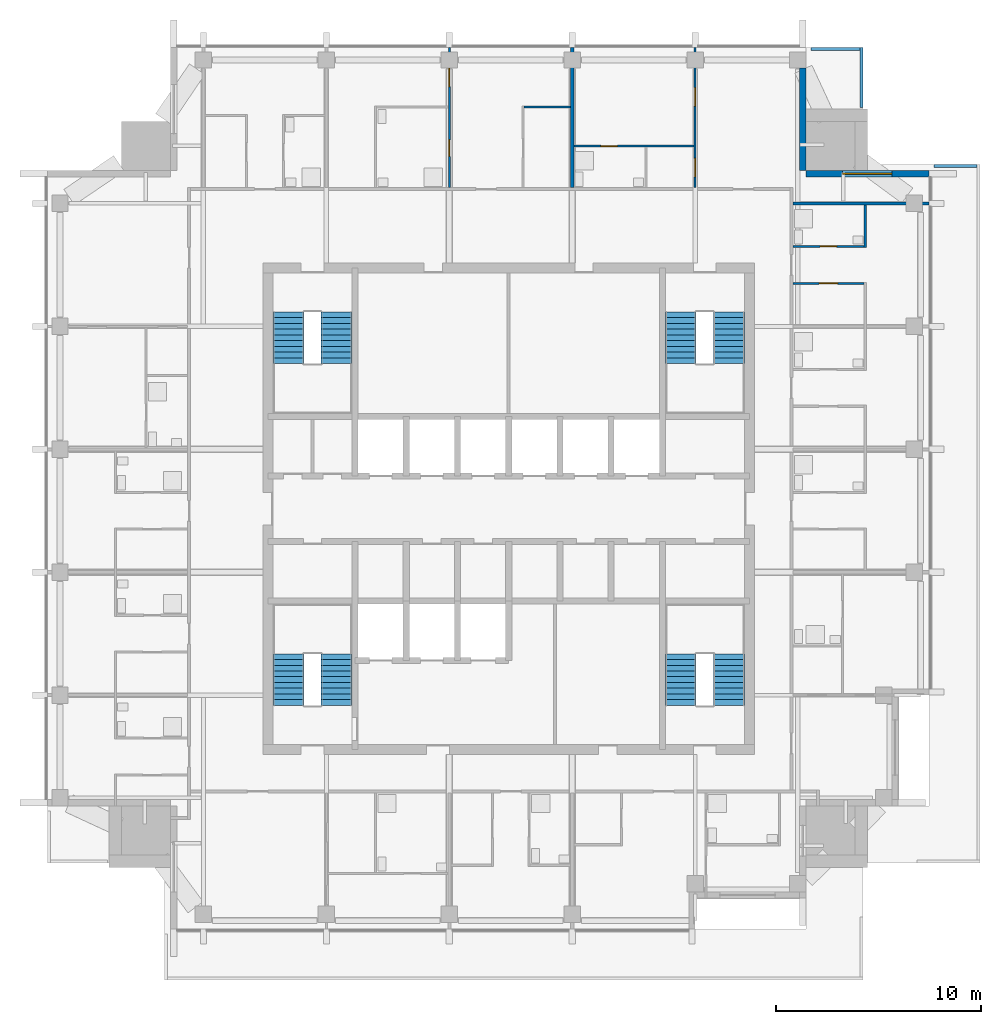
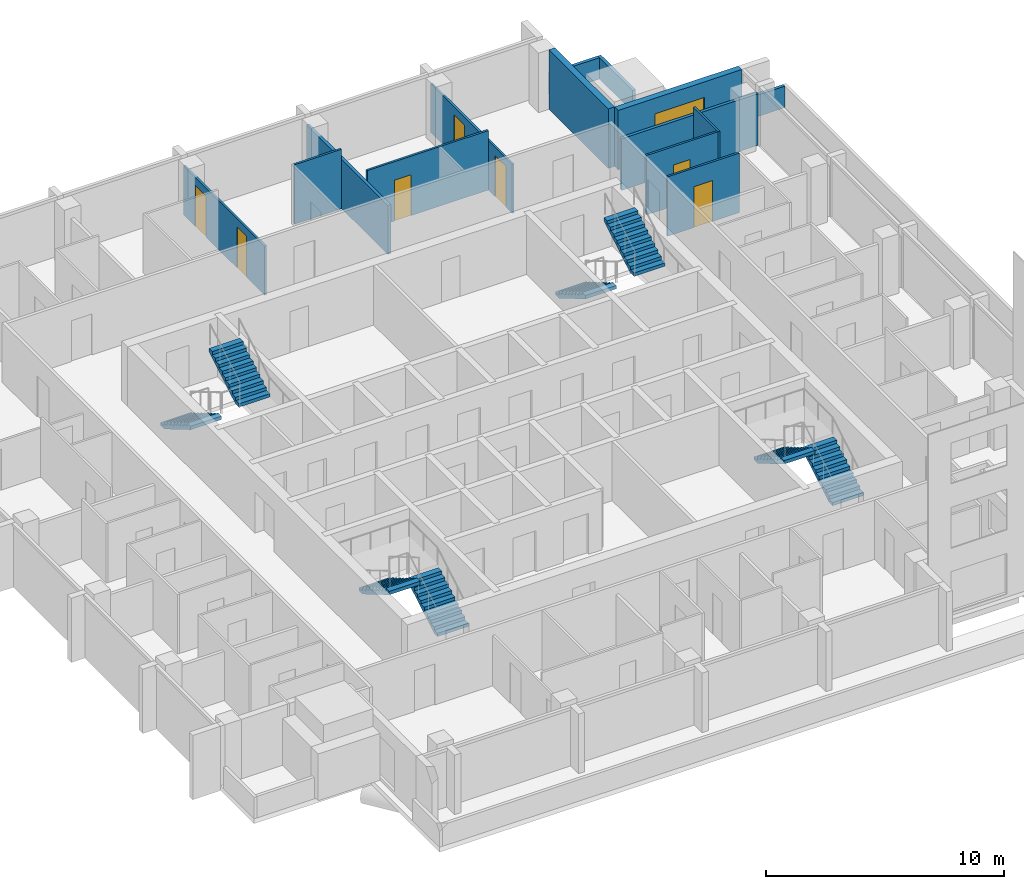
# One storey, part 8 of 11: 14 walls, 8 stair flights, 7 doors, 1 window, 8 openings, 4 elements without a shape of their own.
"""IFC4 building model written with IfcOpenShell, lengths in metres."""

from ifc_helpers import new_model, si_unit, direction, frame, frame_2d, origin, place, context, subcontext, project, spatial, polyline, rectangle, outline, extrude, material, layer, layer_set, type_object, element, fill, aggregate, save


model = new_model("IFC4")

# Units and contexts
model_context = context("Model", 3, precision=1e-05, world=origin(), true_north=direction((0.0, 1.0)))
body_context = subcontext(model_context, "Body", "Model", "MODEL_VIEW")
ifc_project = project(units=[si_unit("LENGTHUNIT", "METRE"), si_unit("AREAUNIT", "SQUARE_METRE"), si_unit("VOLUMEUNIT", "CUBIC_METRE"), si_unit("PLANEANGLEUNIT", "RADIAN"), si_unit("MASSUNIT", "GRAM", prefix="KILO")], contexts=[model_context])

# Site, building, storey
site_placement = place(None, origin())
site = spatial("IfcSite", under=ifc_project, at=site_placement, CompositionType="ELEMENT")
building_placement = place(site_placement, origin())
building = spatial("IfcBuilding", under=site, at=building_placement, Name="Amberfall Residences", CompositionType="ELEMENT")
storey_placement = place(building_placement, frame((0.0, 0.0, 238.89990234375)))
storey = spatial("IfcBuildingStorey", under=building, at=storey_placement, Name="L63", CompositionType="ELEMENT", Elevation=238.89990234375)

# Wall, opening, window
ifc_material_1 = material(Name="Pale stone cladding on insulated backing", Category="masonry")
ifc_layer_1 = layer(ifc_material_1, 0.300048828125)
ifc_layer_set_1 = layer_set([ifc_layer_1], Name="Bronze clad wall 300")
wall_type_1 = type_object("IfcWallType", Name="Bronze clad wall 300", PredefinedType="SOLIDWALL", material=ifc_layer_set_1)
wall_1_placement = place(storey_placement, frame((95.0, 61.85009765625, 0.0), z_axis=(0.0, 0.0, 1.0), x_axis=(-1.0, 0.0, 0.0)))
wall_1 = element("IfcWall", 1, at=wall_1_placement, inside=storey, type_object=wall_type_1, Name="External wall L63 NE", PredefinedType="SOLIDWALL", context=body_context, shape_type="SweptSolid", body=[
    extrude(rectangle(XDim=6.0, YDim=0.300048828125, at=frame_2d((3.0, 0.0))), origin(), (0.0, 0.0, 1.0), 3.050048828125),
])
opening_1_placement = place(wall_1_placement, frame((1.800048828125, 0.0, 0.14990234375)))
opening_1 = element("IfcOpeningElement", 2, at=opening_1_placement, cuts=wall_1, Name="Opening WN5", PredefinedType="OPENING", context=body_context, shape_type="SweptSolid", body=[
    extrude(rectangle(XDim=2.39990234375, YDim=2.10009765625, at=frame_2d((1.199951171875, 1.050048828125))), frame((0.0, 0.159912109375, 0.0), z_axis=(0.0, -1.0, 0.0), x_axis=(1.0, 0.0, 0.0)), (0.0, 0.0, 1.0), 0.320068359375),
])
ifc_material_2 = material(Name="Bronze aluminium framed glazing", Category="aluminium")
window_type = type_object("IfcWindowType", Name="Glazed opening 2400 x 2100 bronze", PartitioningType="DOUBLE_PANEL_VERTICAL", PredefinedType="WINDOW", material=ifc_material_2)
window_placement = place(opening_1_placement, origin())
window = element("IfcWindow", 3, at=window_placement, inside=storey, type_object=window_type, Name="Window L63 NE", OverallHeight=2.10009765625, OverallWidth=2.39990234375, PartitioningType="DOUBLE_PANEL_VERTICAL", PredefinedType="WINDOW", context=body_context, shape_type="SweptSolid", body=[
    extrude(rectangle(XDim=2.39990234375, YDim=2.10009765625, at=frame_2d((1.199951171875, 1.050048828125))), frame((0.0, 0.030029296875, 0.0), z_axis=(0.0, -1.0, 0.0), x_axis=(1.0, 0.0, 0.0)), (0.0, 0.0, 1.0), 0.06005859375),
])
fill(opening_1, window)

# Wall
wall_2_placement = place(storey_placement, frame((88.85009765625, 62.0, 0.0), z_axis=(0.0, 0.0, 1.0), x_axis=(0.0, 1.0, 0.0)))
element("IfcWall", 4, at=wall_2_placement, inside=storey, type_object=wall_type_1, Name="External wall L63 NE", PredefinedType="SOLIDWALL", context=body_context, shape_type="SweptSolid", body=[
    extrude(rectangle(XDim=5.0, YDim=0.300048828125, at=frame_2d((2.5, 0.0))), origin(), (0.0, 0.0, 1.0), 3.050048828125),
])

# Wall, openings, doors
ifc_material_3 = material(Name="Gypsum board on metal stud")
ifc_layer_2 = layer(ifc_material_3, 0.10009765625)
ifc_layer_set_2 = layer_set([ifc_layer_2], Name="Flat partition 100")
wall_type_2 = type_object("IfcWallType", Name="Flat partition 100", PredefinedType="PARTITIONING", material=ifc_layer_set_2)
wall_3_placement = place(storey_placement, frame((71.60009765625, 61.175048828125, 0.0), z_axis=(0.0, 0.0, 1.0), x_axis=(0.0, 1.0, 0.0)))
wall_3 = element("IfcWall", 5, at=wall_3_placement, inside=storey, type_object=wall_type_2, Name="Partition 011", PredefinedType="PARTITIONING", context=body_context, shape_type="SweptSolid", body=[
    extrude(rectangle(XDim=6.824951171875, YDim=0.10009765625, at=frame_2d((3.41259765625, 0.0))), origin(), (0.0, 0.0, 1.0), 2.51611328125),
])
opening_2_placement = place(wall_3_placement, frame((4.925048828125, 0.0, 0.0)))
opening_2 = element("IfcOpeningElement", 6, at=opening_2_placement, cuts=wall_3, Name="Opening D41", PredefinedType="OPENING", context=body_context, shape_type="SweptSolid", body=[
    extrude(rectangle(XDim=0.89990234375, YDim=2.10009765625, at=frame_2d((0.449951171875, 1.050048828125))), frame((0.0, 0.06005859375, 0.0), z_axis=(0.0, -1.0, 0.0), x_axis=(1.0, 0.0, 0.0)), (0.0, 0.0, 1.0), 0.1201171875),
])
opening_3_placement = place(wall_3_placement, frame((1.52490234375, 0.0, 0.0)))
opening_3 = element("IfcOpeningElement", 7, at=opening_3_placement, cuts=wall_3, Name="Opening D42", PredefinedType="OPENING", context=body_context, shape_type="SweptSolid", body=[
    extrude(rectangle(XDim=0.800048828125, YDim=2.10009765625, at=frame_2d((0.39990234375, 1.050048828125))), frame((0.0, 0.06005859375, 0.0), z_axis=(0.0, -1.0, 0.0), x_axis=(1.0, 0.0, 0.0)), (0.0, 0.0, 1.0), 0.1201171875),
])
ifc_material_4 = material(Name="Timber", Category="wood")
door_type_1 = type_object("IfcDoorType", Name="Bathroom door 800 x 2100", OperationType="SINGLE_SWING_LEFT", PredefinedType="DOOR", material=ifc_material_4)
door_1_placement = place(opening_3_placement, origin())
door_1 = element("IfcDoor", 8, at=door_1_placement, inside=storey, type_object=door_type_1, Name="Door 6309 bath1", OperationType="SINGLE_SWING_LEFT", OverallHeight=2.10009765625, OverallWidth=0.800048828125, PredefinedType="DOOR", context=body_context, shape_type="SweptSolid", body=[
    extrude(rectangle(XDim=0.800048828125, YDim=2.10009765625, at=frame_2d((0.39990234375, 1.050048828125))), frame((0.0, 0.02490234375, 0.0), z_axis=(0.0, -1.0, 0.0), x_axis=(1.0, 0.0, 0.0)), (0.0, 0.0, 1.0), 0.050048828125),
])
fill(opening_3, door_1)
door_type_2 = type_object("IfcDoorType", Name="Internal door 900 x 2100", OperationType="SINGLE_SWING_LEFT", PredefinedType="DOOR", material=ifc_material_4)
door_2_placement = place(opening_2_placement, origin())
door_2 = element("IfcDoor", 9, at=door_2_placement, inside=storey, type_object=door_type_2, Name="Door 6309 bedroom1", OperationType="SINGLE_SWING_LEFT", OverallHeight=2.10009765625, OverallWidth=0.89990234375, PredefinedType="DOOR", context=body_context, shape_type="SweptSolid", body=[
    extrude(rectangle(XDim=0.89990234375, YDim=2.10009765625, at=frame_2d((0.449951171875, 1.050048828125))), frame((0.0, 0.02490234375, 0.0), z_axis=(0.0, -1.0, 0.0), x_axis=(1.0, 0.0, 0.0)), (0.0, 0.0, 1.0), 0.050048828125),
])
fill(opening_2, door_2)

wall_4_placement = place(storey_placement, frame((83.60009765625, 61.175048828125, 0.0), z_axis=(0.0, 0.0, 1.0), x_axis=(0.0, 1.0, 0.0)))
wall_4 = element("IfcWall", 10, at=wall_4_placement, inside=storey, type_object=wall_type_2, Name="Partition 017", PredefinedType="PARTITIONING", context=body_context, shape_type="SweptSolid", body=[
    extrude(rectangle(XDim=6.824951171875, YDim=0.10009765625, at=frame_2d((3.41259765625, 0.0))), origin(), (0.0, 0.0, 1.0), 2.51611328125),
])
opening_4_placement = place(wall_4_placement, frame((0.52490234375, 0.0, 0.0)))
opening_4 = element("IfcOpeningElement", 11, at=opening_4_placement, cuts=wall_4, Name="Opening D41", PredefinedType="OPENING", context=body_context, shape_type="SweptSolid", body=[
    extrude(rectangle(XDim=0.89990234375, YDim=2.10009765625, at=frame_2d((0.449951171875, 1.050048828125))), frame((0.0, 0.06005859375, 0.0), z_axis=(0.0, -1.0, 0.0), x_axis=(1.0, 0.0, 0.0)), (0.0, 0.0, 1.0), 0.1201171875),
])
opening_5_placement = place(wall_4_placement, frame((3.97509765625, 0.0, 0.0)))
opening_5 = element("IfcOpeningElement", 12, at=opening_5_placement, cuts=wall_4, Name="Opening D41", PredefinedType="OPENING", context=body_context, shape_type="SweptSolid", body=[
    extrude(rectangle(XDim=0.89990234375, YDim=2.10009765625, at=frame_2d((0.449951171875, 1.050048828125))), frame((0.0, 0.06005859375, 0.0), z_axis=(0.0, -1.0, 0.0), x_axis=(1.0, 0.0, 0.0)), (0.0, 0.0, 1.0), 0.1201171875),
])
door_3_placement = place(opening_4_placement, origin())
door_3 = element("IfcDoor", 13, at=door_3_placement, inside=storey, type_object=door_type_2, Name="Door 6310 kitchen", OperationType="SINGLE_SWING_LEFT", OverallHeight=2.10009765625, OverallWidth=0.89990234375, PredefinedType="DOOR", context=body_context, shape_type="SweptSolid", body=[
    extrude(rectangle(XDim=0.89990234375, YDim=2.10009765625, at=frame_2d((0.449951171875, 1.050048828125))), frame((0.0, 0.02490234375, 0.0), z_axis=(0.0, -1.0, 0.0), x_axis=(1.0, 0.0, 0.0)), (0.0, 0.0, 1.0), 0.050048828125),
])
fill(opening_4, door_3)
door_4_placement = place(opening_5_placement, origin())
door_4 = element("IfcDoor", 14, at=door_4_placement, inside=storey, type_object=door_type_2, Name="Door 6310 bedroom1", OperationType="SINGLE_SWING_LEFT", OverallHeight=2.10009765625, OverallWidth=0.89990234375, PredefinedType="DOOR", context=body_context, shape_type="SweptSolid", body=[
    extrude(rectangle(XDim=0.89990234375, YDim=2.10009765625, at=frame_2d((0.449951171875, 1.050048828125))), frame((0.0, 0.02490234375, 0.0), z_axis=(0.0, -1.0, 0.0), x_axis=(1.0, 0.0, 0.0)), (0.0, 0.0, 1.0), 0.050048828125),
])
fill(opening_5, door_4)

# Walls
wall_5_placement = place(storey_placement, frame((91.89990234375, 58.25, 0.0), z_axis=(0.0, 0.0, 1.0), x_axis=(0.0, 1.0, 0.0)))
element("IfcWall", 15, at=wall_5_placement, inside=storey, type_object=wall_type_2, Name="Partition 024", PredefinedType="PARTITIONING", context=body_context, shape_type="SweptSolid", body=[
    extrude(rectangle(XDim=2.074951171875, YDim=0.10009765625, at=frame_2d((1.03759765625, 0.0))), origin(), (0.0, 0.0, 1.0), 3.050048828125),
])
wall_6_placement = place(storey_placement, frame((75.25, 65.10009765625, 0.0), z_axis=(0.0, 0.0, 1.0), x_axis=(1.0, 0.0, 0.0)))
element("IfcWall", 16, at=wall_6_placement, inside=storey, type_object=wall_type_2, Name="Partition 026", PredefinedType="PARTITIONING", context=body_context, shape_type="SweptSolid", body=[
    extrude(rectangle(XDim=2.27490234375, YDim=0.10009765625, at=frame_2d((1.137451171875, 0.0))), origin(), (0.0, 0.0, 1.0), 3.050048828125),
])

# Wall, opening, door
wall_7_placement = place(storey_placement, frame((83.550048828125, 63.199951171875, 0.0), z_axis=(0.0, 0.0, 1.0), x_axis=(-1.0, 0.0, 0.0)))
wall_7 = element("IfcWall", 17, at=wall_7_placement, inside=storey, type_object=wall_type_2, Name="Partition 029", PredefinedType="PARTITIONING", context=body_context, shape_type="SweptSolid", body=[
    extrude(rectangle(XDim=5.875, YDim=0.10009765625, at=frame_2d((2.9375, 0.0))), origin(), (0.0, 0.0, 1.0), 3.050048828125),
])
opening_6_placement = place(wall_7_placement, frame((3.75, 0.0, 0.0)))
opening_6 = element("IfcOpeningElement", 18, at=opening_6_placement, cuts=wall_7, Name="Opening D42", PredefinedType="OPENING", context=body_context, shape_type="SweptSolid", body=[
    extrude(rectangle(XDim=0.800048828125, YDim=2.10009765625, at=frame_2d((0.39990234375, 1.050048828125))), frame((0.0, 0.06005859375, 0.0), z_axis=(0.0, -1.0, 0.0), x_axis=(1.0, 0.0, 0.0)), (0.0, 0.0, 1.0), 0.1201171875),
])
door_5_placement = place(opening_6_placement, origin())
door_5 = element("IfcDoor", 19, at=door_5_placement, inside=storey, type_object=door_type_1, Name="Door 6310 bath1", OperationType="SINGLE_SWING_LEFT", OverallHeight=2.10009765625, OverallWidth=0.800048828125, PredefinedType="DOOR", context=body_context, shape_type="SweptSolid", body=[
    extrude(rectangle(XDim=0.800048828125, YDim=2.10009765625, at=frame_2d((0.39990234375, 1.050048828125))), frame((0.0, 0.02490234375, 0.0), z_axis=(0.0, -1.0, 0.0), x_axis=(1.0, 0.0, 0.0)), (0.0, 0.0, 1.0), 0.050048828125),
])
fill(opening_6, door_5)

wall_8_placement = place(storey_placement, frame((88.375, 58.300048828125, 0.0), z_axis=(0.0, 0.0, 1.0), x_axis=(1.0, 0.0, 0.0)))
wall_8 = element("IfcWall", 20, at=wall_8_placement, inside=storey, type_object=wall_type_2, Name="Partition 030", PredefinedType="PARTITIONING", context=body_context, shape_type="SweptSolid", body=[
    extrude(rectangle(XDim=3.47509765625, YDim=0.10009765625, at=frame_2d((1.737548828125, 0.0))), origin(), (0.0, 0.0, 1.0), 3.050048828125),
])
opening_7_placement = place(wall_8_placement, frame((1.324951171875, 0.0, 0.0)))
opening_7 = element("IfcOpeningElement", 21, at=opening_7_placement, cuts=wall_8, Name="Opening D42", PredefinedType="OPENING", context=body_context, shape_type="SweptSolid", body=[
    extrude(rectangle(XDim=0.800048828125, YDim=2.10009765625, at=frame_2d((0.39990234375, 1.050048828125))), frame((0.0, 0.06005859375, 0.0), z_axis=(0.0, -1.0, 0.0), x_axis=(1.0, 0.0, 0.0)), (0.0, 0.0, 1.0), 0.1201171875),
])
door_6_placement = place(opening_7_placement, origin())
door_6 = element("IfcDoor", 22, at=door_6_placement, inside=storey, type_object=door_type_1, Name="Door 6307 bath1", OperationType="SINGLE_SWING_LEFT", OverallHeight=2.10009765625, OverallWidth=0.800048828125, PredefinedType="DOOR", context=body_context, shape_type="SweptSolid", body=[
    extrude(rectangle(XDim=0.800048828125, YDim=2.10009765625, at=frame_2d((0.39990234375, 1.050048828125))), frame((0.0, 0.02490234375, 0.0), z_axis=(0.0, -1.0, 0.0), x_axis=(1.0, 0.0, 0.0)), (0.0, 0.0, 1.0), 0.050048828125),
])
fill(opening_7, door_6)

wall_9_placement = place(storey_placement, frame((91.85009765625, 56.5, 0.0), z_axis=(0.0, 0.0, 1.0), x_axis=(-1.0, 0.0, 0.0)))
wall_9 = element("IfcWall", 23, at=wall_9_placement, inside=storey, type_object=wall_type_2, Name="Partition 031", PredefinedType="PARTITIONING", context=body_context, shape_type="SweptSolid", body=[
    extrude(rectangle(XDim=3.47509765625, YDim=0.10009765625, at=frame_2d((1.737548828125, 0.0))), origin(), (0.0, 0.0, 1.0), 3.050048828125),
])
opening_8_placement = place(wall_9_placement, frame((1.300048828125, 0.0, 0.0)))
opening_8 = element("IfcOpeningElement", 24, at=opening_8_placement, cuts=wall_9, Name="Opening D41", PredefinedType="OPENING", context=body_context, shape_type="SweptSolid", body=[
    extrude(rectangle(XDim=0.89990234375, YDim=2.10009765625, at=frame_2d((0.449951171875, 1.050048828125))), frame((0.0, 0.06005859375, 0.0), z_axis=(0.0, -1.0, 0.0), x_axis=(1.0, 0.0, 0.0)), (0.0, 0.0, 1.0), 0.1201171875),
])
door_7_placement = place(opening_8_placement, origin())
door_7 = element("IfcDoor", 25, at=door_7_placement, inside=storey, type_object=door_type_2, Name="Door 6307 kitchen", OperationType="SINGLE_SWING_LEFT", OverallHeight=2.10009765625, OverallWidth=0.89990234375, PredefinedType="DOOR", context=body_context, shape_type="SweptSolid", body=[
    extrude(rectangle(XDim=0.89990234375, YDim=2.10009765625, at=frame_2d((0.449951171875, 1.050048828125))), frame((0.0, 0.02490234375, 0.0), z_axis=(0.0, -1.0, 0.0), x_axis=(1.0, 0.0, 0.0)), (0.0, 0.0, 1.0), 0.050048828125),
])
fill(opening_8, door_7)

# Walls
ifc_material_5 = material(Name="Blockwork, plastered", Category="masonry")
ifc_layer_3 = layer(ifc_material_5, 0.14990234375)
ifc_layer_set_3 = layer_set([ifc_layer_3], Name="Flat separating wall 150")
wall_type_3 = type_object("IfcWallType", Name="Flat separating wall 150", PredefinedType="PARTITIONING", material=ifc_layer_set_3)
wall_10_placement = place(storey_placement, frame((77.60009765625, 61.175048828125, 0.0), z_axis=(0.0, 0.0, 1.0), x_axis=(0.0, 1.0, 0.0)))
element("IfcWall", 26, at=wall_10_placement, inside=storey, type_object=wall_type_3, Name="Separating wall 056", PredefinedType="PARTITIONING", context=body_context, shape_type="SweptSolid", body=[
    extrude(rectangle(XDim=6.824951171875, YDim=0.14990234375, at=frame_2d((3.41259765625, 0.0))), origin(), (0.0, 0.0, 1.0), 2.51611328125),
])
wall_11_placement = place(storey_placement, frame((88.375, 60.39990234375, 0.0), z_axis=(0.0, 0.0, 1.0), x_axis=(1.0, 0.0, 0.0)))
element("IfcWall", 27, at=wall_11_placement, inside=storey, type_object=wall_type_3, Name="Separating wall 060", PredefinedType="PARTITIONING", context=body_context, shape_type="SweptSolid", body=[
    extrude(rectangle(XDim=6.625, YDim=0.14990234375, at=frame_2d((3.3125, 0.0))), origin(), (0.0, 0.0, 1.0), 2.647216796875),
])
ifc_material_6 = material(Name="Concrete C40", Category="concrete")
ifc_layer_4 = layer(ifc_material_6, 0.14990234375)
ifc_layer_set_4 = layer_set([ifc_layer_4], Name="Ledge parapet 150")
wall_type_4 = type_object("IfcWallType", Name="Ledge parapet 150", PredefinedType="PARAPET", material=ifc_layer_set_4)
wall_12_placement = place(storey_placement, frame((97.35009765625, 62.22509765625, 0.0), z_axis=(0.0, 0.0, 1.0), x_axis=(-1.0, 0.0, 0.0)))
element("IfcWall", 28, at=wall_12_placement, inside=storey, type_object=wall_type_4, Name="Roof parapet L63 4", PredefinedType="PARAPET", context=body_context, shape_type="SweptSolid", body=[
    extrude(rectangle(XDim=2.10009765625, YDim=0.14990234375, at=frame_2d((1.050048828125, 0.0))), origin(), (0.0, 0.0, 1.0), 1.10009765625),
])
wall_13_placement = place(storey_placement, frame((91.72509765625, 65.073974609375, 0.0), z_axis=(0.0, 0.0, 1.0), x_axis=(0.0, 1.0, 0.0)))
element("IfcWall", 29, at=wall_13_placement, inside=storey, type_object=wall_type_4, Name="Roof parapet L63 5", PredefinedType="PARAPET", context=body_context, shape_type="SweptSolid", body=[
    extrude(rectangle(XDim=2.926025390625, YDim=0.14990234375, at=frame_2d((1.462890625, 0.0))), origin(), (0.0, 0.0, 1.0), 1.10009765625),
])
wall_14_placement = place(storey_placement, frame((91.64990234375, 67.925048828125, 0.0), z_axis=(0.0, 0.0, 1.0), x_axis=(-1.0, 0.0, 0.0)))
element("IfcWall", 30, at=wall_14_placement, inside=storey, type_object=wall_type_4, Name="Roof parapet L63 6", PredefinedType="PARAPET", context=body_context, shape_type="SweptSolid", body=[
    extrude(rectangle(XDim=2.39990234375, YDim=0.14990234375, at=frame_2d((1.199951171875, 0.0))), origin(), (0.0, 0.0, 1.0), 1.10009765625),
])

# Stair, stair flights
stair_type = type_object("IfcStairType", Name="Exit stair 20 risers 165.0 mm", PredefinedType="HALF_TURN_STAIR", material=ifc_material_6)
stair_1_placement = place(storey_placement, origin())
stair_1 = element("IfcStair", 31, at=stair_1_placement, inside=storey, type_object=stair_type, Name="L63 Exit stair 1", PredefinedType="HALF_TURN_STAIR")
stair_flight_type = type_object("IfcStairFlightType", Name="Stair flight 10 risers 165.0 mm", PredefinedType="STRAIGHT", material=ifc_material_6)
stair_flight_1_placement = place(storey_placement, frame((66.10009765625, 35.89990234375, 0.0), z_axis=(0.0, 0.0, 1.0), x_axis=(0.0, 1.0, 0.0)))
stair_flight_1 = element("IfcStairFlight", 32, at=stair_flight_1_placement, type_object=stair_flight_type, Name="ST3 flight 1", NumberOfRisers=10, NumberOfTreads=9, PredefinedType="STRAIGHT", RiserHeight=0.165, TreadLength=0.28, context=body_context, shape_type="SweptSolid", body=[
    extrude(outline(polyline([(0.0, 0.0), (0.0, 0.1650390625), (0.280029296875, 0.1650390625), (0.280029296875, 0.330078125), (0.56005859375, 0.330078125), (0.56005859375, 0.4951171875), (0.840087890625, 0.4951171875), (0.840087890625, 0.659912109375), (1.1201171875, 0.659912109375), (1.1201171875, 0.824951171875), (1.39990234375, 0.824951171875), (1.39990234375, 0.989990234375), (1.679931640625, 0.989990234375), (1.679931640625, 1.155029296875), (1.9599609375, 1.155029296875), (1.9599609375, 1.320068359375), (2.239990234375, 1.320068359375), (2.239990234375, 1.485107421875), (2.52001953125, 1.485107421875), (2.52001953125, 1.64990234375), (2.52001953125, 1.31103515625), (0.295166015625, 0.0), (0.0, 0.0)])), frame((0.0, 0.75, 0.0), z_axis=(0.0, -1.0, 0.0), x_axis=(1.0, 0.0, 0.0)), (0.0, 0.0, 1.0), 1.5),
])
stair_flight_2_placement = place(storey_placement, frame((63.75, 38.419921875, 1.650146484375), z_axis=(0.0, 0.0, 1.0), x_axis=(0.0, -1.0, 0.0)))
stair_flight_2 = element("IfcStairFlight", 33, at=stair_flight_2_placement, type_object=stair_flight_type, Name="ST3 flight 2", NumberOfRisers=10, NumberOfTreads=9, PredefinedType="STRAIGHT", RiserHeight=0.165, TreadLength=0.28, context=body_context, shape_type="SweptSolid", body=[
    extrude(outline(polyline([(0.0, 0.0), (0.0, 0.1650390625), (0.280029296875, 0.1650390625), (0.280029296875, 0.330078125), (0.56005859375, 0.330078125), (0.56005859375, 0.4951171875), (0.840087890625, 0.4951171875), (0.840087890625, 0.659912109375), (1.1201171875, 0.659912109375), (1.1201171875, 0.824951171875), (1.39990234375, 0.824951171875), (1.39990234375, 0.989990234375), (1.679931640625, 0.989990234375), (1.679931640625, 1.155029296875), (1.9599609375, 1.155029296875), (1.9599609375, 1.320068359375), (2.239990234375, 1.320068359375), (2.239990234375, 1.485107421875), (2.52001953125, 1.485107421875), (2.52001953125, 1.64990234375), (2.52001953125, 1.31103515625), (0.295166015625, 0.0), (0.0, 0.0)])), frame((0.0, 0.75, 0.0), z_axis=(0.0, -1.0, 0.0), x_axis=(1.0, 0.0, 0.0)), (0.0, 0.0, 1.0), 1.5),
])
aggregate(stair_1, [stair_flight_1, stair_flight_2])

stair_2_placement = place(storey_placement, origin())
stair_2 = element("IfcStair", 34, at=stair_2_placement, inside=storey, type_object=stair_type, Name="L63 Exit stair 2", PredefinedType="HALF_TURN_STAIR")
stair_flight_3_placement = place(storey_placement, frame((85.25, 35.89990234375, 0.0), z_axis=(0.0, 0.0, 1.0), x_axis=(0.0, 1.0, 0.0)))
stair_flight_3 = element("IfcStairFlight", 35, at=stair_flight_3_placement, type_object=stair_flight_type, Name="ST3 flight 1", NumberOfRisers=10, NumberOfTreads=9, PredefinedType="STRAIGHT", RiserHeight=0.165, TreadLength=0.28, context=body_context, shape_type="SweptSolid", body=[
    extrude(outline(polyline([(0.0, 0.0), (0.0, 0.1650390625), (0.280029296875, 0.1650390625), (0.280029296875, 0.330078125), (0.56005859375, 0.330078125), (0.56005859375, 0.4951171875), (0.840087890625, 0.4951171875), (0.840087890625, 0.659912109375), (1.1201171875, 0.659912109375), (1.1201171875, 0.824951171875), (1.39990234375, 0.824951171875), (1.39990234375, 0.989990234375), (1.679931640625, 0.989990234375), (1.679931640625, 1.155029296875), (1.9599609375, 1.155029296875), (1.9599609375, 1.320068359375), (2.239990234375, 1.320068359375), (2.239990234375, 1.485107421875), (2.52001953125, 1.485107421875), (2.52001953125, 1.64990234375), (2.52001953125, 1.31103515625), (0.295166015625, 0.0), (0.0, 0.0)])), frame((0.0, 0.75, 0.0), z_axis=(0.0, -1.0, 0.0), x_axis=(1.0, 0.0, 0.0)), (0.0, 0.0, 1.0), 1.5),
])
stair_flight_4_placement = place(storey_placement, frame((82.89990234375, 38.419921875, 1.650146484375), z_axis=(0.0, 0.0, 1.0), x_axis=(0.0, -1.0, 0.0)))
stair_flight_4 = element("IfcStairFlight", 36, at=stair_flight_4_placement, type_object=stair_flight_type, Name="ST3 flight 2", NumberOfRisers=10, NumberOfTreads=9, PredefinedType="STRAIGHT", RiserHeight=0.165, TreadLength=0.28, context=body_context, shape_type="SweptSolid", body=[
    extrude(outline(polyline([(0.0, 0.0), (0.0, 0.1650390625), (0.280029296875, 0.1650390625), (0.280029296875, 0.330078125), (0.56005859375, 0.330078125), (0.56005859375, 0.4951171875), (0.840087890625, 0.4951171875), (0.840087890625, 0.659912109375), (1.1201171875, 0.659912109375), (1.1201171875, 0.824951171875), (1.39990234375, 0.824951171875), (1.39990234375, 0.989990234375), (1.679931640625, 0.989990234375), (1.679931640625, 1.155029296875), (1.9599609375, 1.155029296875), (1.9599609375, 1.320068359375), (2.239990234375, 1.320068359375), (2.239990234375, 1.485107421875), (2.52001953125, 1.485107421875), (2.52001953125, 1.64990234375), (2.52001953125, 1.31103515625), (0.295166015625, 0.0), (0.0, 0.0)])), frame((0.0, 0.75, 0.0), z_axis=(0.0, -1.0, 0.0), x_axis=(1.0, 0.0, 0.0)), (0.0, 0.0, 1.0), 1.5),
])
aggregate(stair_2, [stair_flight_3, stair_flight_4])

stair_3_placement = place(storey_placement, origin())
stair_3 = element("IfcStair", 37, at=stair_3_placement, inside=storey, type_object=stair_type, Name="L63 Exit stair 3", PredefinedType="HALF_TURN_STAIR")
stair_flight_5_placement = place(storey_placement, frame((82.89990234375, 55.10009765625, 0.0), z_axis=(0.0, 0.0, 1.0), x_axis=(0.0, -1.0, 0.0)))
stair_flight_5 = element("IfcStairFlight", 38, at=stair_flight_5_placement, type_object=stair_flight_type, Name="ST3 flight 1", NumberOfRisers=10, NumberOfTreads=9, PredefinedType="STRAIGHT", RiserHeight=0.165, TreadLength=0.28, context=body_context, shape_type="SweptSolid", body=[
    extrude(outline(polyline([(0.0, 0.0), (0.0, 0.1650390625), (0.280029296875, 0.1650390625), (0.280029296875, 0.330078125), (0.56005859375, 0.330078125), (0.56005859375, 0.4951171875), (0.840087890625, 0.4951171875), (0.840087890625, 0.659912109375), (1.1201171875, 0.659912109375), (1.1201171875, 0.824951171875), (1.39990234375, 0.824951171875), (1.39990234375, 0.989990234375), (1.679931640625, 0.989990234375), (1.679931640625, 1.155029296875), (1.9599609375, 1.155029296875), (1.9599609375, 1.320068359375), (2.239990234375, 1.320068359375), (2.239990234375, 1.485107421875), (2.52001953125, 1.485107421875), (2.52001953125, 1.64990234375), (2.52001953125, 1.31103515625), (0.295166015625, 0.0), (0.0, 0.0)])), frame((0.0, 0.75, 0.0), z_axis=(0.0, -1.0, 0.0), x_axis=(1.0, 0.0, 0.0)), (0.0, 0.0, 1.0), 1.5),
])
stair_flight_6_placement = place(storey_placement, frame((85.25, 52.580078125, 1.650146484375), z_axis=(0.0, 0.0, 1.0), x_axis=(0.0, 1.0, 0.0)))
stair_flight_6 = element("IfcStairFlight", 39, at=stair_flight_6_placement, type_object=stair_flight_type, Name="ST3 flight 2", NumberOfRisers=10, NumberOfTreads=9, PredefinedType="STRAIGHT", RiserHeight=0.165, TreadLength=0.28, context=body_context, shape_type="SweptSolid", body=[
    extrude(outline(polyline([(0.0, 0.0), (0.0, 0.1650390625), (0.280029296875, 0.1650390625), (0.280029296875, 0.330078125), (0.56005859375, 0.330078125), (0.56005859375, 0.4951171875), (0.840087890625, 0.4951171875), (0.840087890625, 0.659912109375), (1.1201171875, 0.659912109375), (1.1201171875, 0.824951171875), (1.39990234375, 0.824951171875), (1.39990234375, 0.989990234375), (1.679931640625, 0.989990234375), (1.679931640625, 1.155029296875), (1.9599609375, 1.155029296875), (1.9599609375, 1.320068359375), (2.239990234375, 1.320068359375), (2.239990234375, 1.485107421875), (2.52001953125, 1.485107421875), (2.52001953125, 1.64990234375), (2.52001953125, 1.31103515625), (0.295166015625, 0.0), (0.0, 0.0)])), frame((0.0, 0.75, 0.0), z_axis=(0.0, -1.0, 0.0), x_axis=(1.0, 0.0, 0.0)), (0.0, 0.0, 1.0), 1.5),
])
aggregate(stair_3, [stair_flight_5, stair_flight_6])

stair_4_placement = place(storey_placement, origin())
stair_4 = element("IfcStair", 40, at=stair_4_placement, inside=storey, type_object=stair_type, Name="L63 Exit stair 4", PredefinedType="HALF_TURN_STAIR")
stair_flight_7_placement = place(storey_placement, frame((63.75, 55.10009765625, 0.0), z_axis=(0.0, 0.0, 1.0), x_axis=(0.0, -1.0, 0.0)))
stair_flight_7 = element("IfcStairFlight", 41, at=stair_flight_7_placement, type_object=stair_flight_type, Name="ST3 flight 1", NumberOfRisers=10, NumberOfTreads=9, PredefinedType="STRAIGHT", RiserHeight=0.165, TreadLength=0.28, context=body_context, shape_type="SweptSolid", body=[
    extrude(outline(polyline([(0.0, 0.0), (0.0, 0.1650390625), (0.280029296875, 0.1650390625), (0.280029296875, 0.330078125), (0.56005859375, 0.330078125), (0.56005859375, 0.4951171875), (0.840087890625, 0.4951171875), (0.840087890625, 0.659912109375), (1.1201171875, 0.659912109375), (1.1201171875, 0.824951171875), (1.39990234375, 0.824951171875), (1.39990234375, 0.989990234375), (1.679931640625, 0.989990234375), (1.679931640625, 1.155029296875), (1.9599609375, 1.155029296875), (1.9599609375, 1.320068359375), (2.239990234375, 1.320068359375), (2.239990234375, 1.485107421875), (2.52001953125, 1.485107421875), (2.52001953125, 1.64990234375), (2.52001953125, 1.31103515625), (0.295166015625, 0.0), (0.0, 0.0)])), frame((0.0, 0.75, 0.0), z_axis=(0.0, -1.0, 0.0), x_axis=(1.0, 0.0, 0.0)), (0.0, 0.0, 1.0), 1.5),
])
stair_flight_8_placement = place(storey_placement, frame((66.10009765625, 52.580078125, 1.650146484375), z_axis=(0.0, 0.0, 1.0), x_axis=(0.0, 1.0, 0.0)))
stair_flight_8 = element("IfcStairFlight", 42, at=stair_flight_8_placement, type_object=stair_flight_type, Name="ST3 flight 2", NumberOfRisers=10, NumberOfTreads=9, PredefinedType="STRAIGHT", RiserHeight=0.165, TreadLength=0.28, context=body_context, shape_type="SweptSolid", body=[
    extrude(outline(polyline([(0.0, 0.0), (0.0, 0.1650390625), (0.280029296875, 0.1650390625), (0.280029296875, 0.330078125), (0.56005859375, 0.330078125), (0.56005859375, 0.4951171875), (0.840087890625, 0.4951171875), (0.840087890625, 0.659912109375), (1.1201171875, 0.659912109375), (1.1201171875, 0.824951171875), (1.39990234375, 0.824951171875), (1.39990234375, 0.989990234375), (1.679931640625, 0.989990234375), (1.679931640625, 1.155029296875), (1.9599609375, 1.155029296875), (1.9599609375, 1.320068359375), (2.239990234375, 1.320068359375), (2.239990234375, 1.485107421875), (2.52001953125, 1.485107421875), (2.52001953125, 1.64990234375), (2.52001953125, 1.31103515625), (0.295166015625, 0.0), (0.0, 0.0)])), frame((0.0, 0.75, 0.0), z_axis=(0.0, -1.0, 0.0), x_axis=(1.0, 0.0, 0.0)), (0.0, 0.0, 1.0), 1.5),
])
aggregate(stair_4, [stair_flight_7, stair_flight_8])

save(model, "model.ifc")
